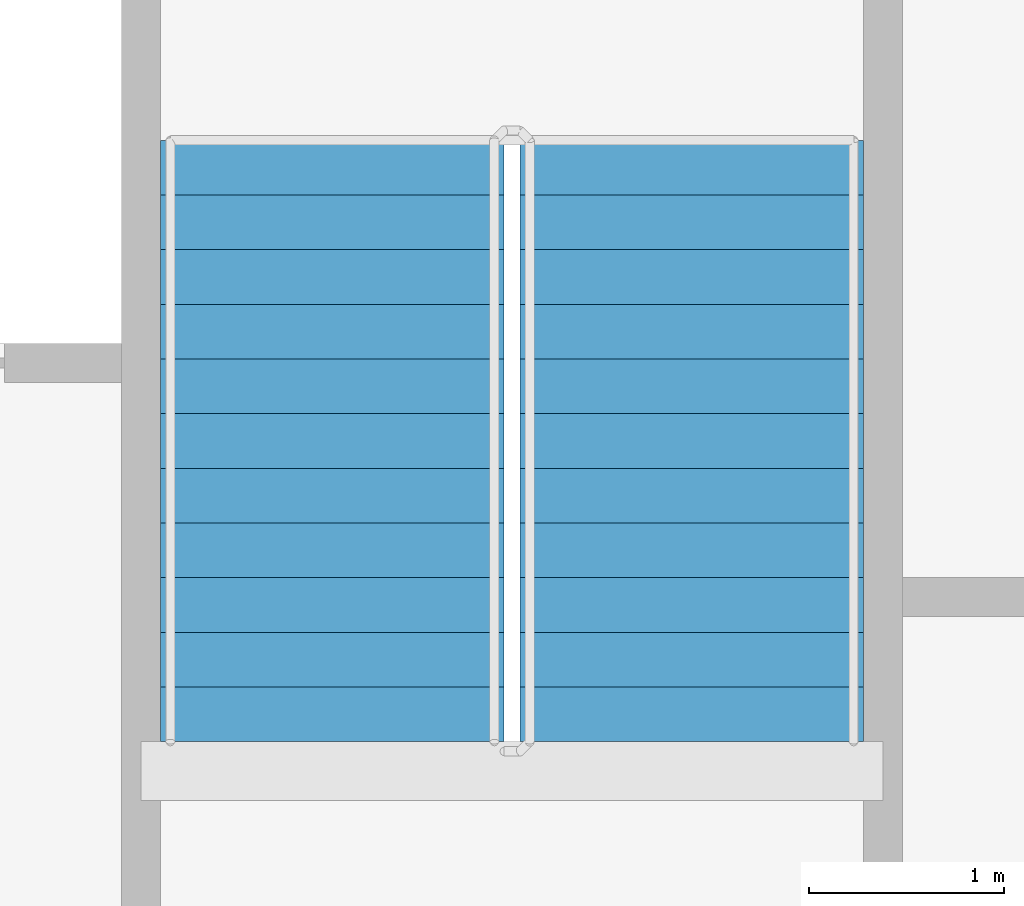
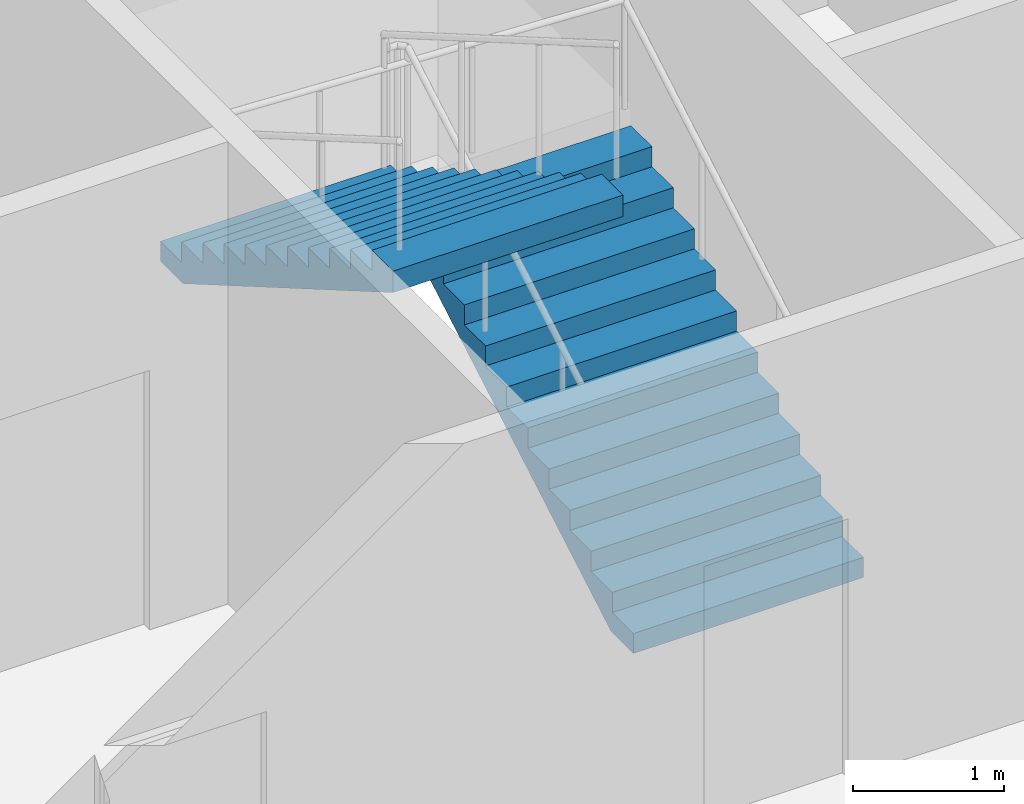
# One storey, part 10 of 15: 2 stair flights, 1 element without a shape of its own.
"""IFC4 building model written with IfcOpenShell, lengths in metres."""

from ifc_helpers import new_model, si_unit, direction, frame, origin, place, context, subcontext, project, spatial, faceted_brep, material, type_object, element, aggregate, save


model = new_model("IFC4")

# Units and contexts
model_context = context("Model", 3, precision=1e-05, world=origin(), true_north=direction((0.0, 1.0)))
body_context = subcontext(model_context, "Body", "Model", "MODEL_VIEW")
ifc_project = project(units=[si_unit("LENGTHUNIT", "METRE"), si_unit("AREAUNIT", "SQUARE_METRE"), si_unit("VOLUMEUNIT", "CUBIC_METRE"), si_unit("PLANEANGLEUNIT", "RADIAN"), si_unit("MASSUNIT", "GRAM", prefix="KILO")], contexts=[model_context])

# Site, building, storey
site_placement = place(None, origin())
site = spatial("IfcSite", under=ifc_project, at=site_placement, CompositionType="ELEMENT")
building_placement = place(site_placement, origin())
building = spatial("IfcBuilding", under=site, at=building_placement, Name="Tarsis Ring Headquarters", CompositionType="ELEMENT")
storey_placement = place(building_placement, frame((0.0, 0.0, 227.699951171875)))
storey = spatial("IfcBuildingStorey", under=building, at=storey_placement, Name="L53", CompositionType="ELEMENT", Elevation=227.699951171875)

# Stair, stair flights
ifc_material_1 = material(Name="Core stair 1760")
stair_type = type_object("IfcStairType", Name="Core stair 1760", PredefinedType="HALF_TURN_STAIR", material=ifc_material_1)
stair_placement = place(storey_placement, origin())
stair = element("IfcStair", 1, at=stair_placement, inside=storey, type_object=stair_type, Name="L53 Exit stair B", PredefinedType="HALF_TURN_STAIR")
ifc_material_2 = material(Name="Concrete C40/50", Category="concrete")
stair_flight_type = type_object("IfcStairFlightType", Name="Core stair flight 1760", PredefinedType="STRAIGHT", material=ifc_material_2)
stair_flight_1_placement = place(storey_placement, frame((5.419921875, 3.659912109375, 0.0), z_axis=(0.0, 0.0, 1.0), x_axis=(0.0, 1.0, 0.0)))
stair_flight_1 = element("IfcStairFlight", 2, at=stair_flight_1_placement, type_object=stair_flight_type, Name="Stair ST2 flight 1", NumberOfRisers=12, NumberOfTreads=11, PredefinedType="STRAIGHT", RiserHeight=0.1625, TreadLength=0.28, context=body_context, shape_type="Brep", body=[
    faceted_brep([(0.0, 0.8798828125, 0.0), (0.0, 0.8798828125, 0.16259765625), (0.280029296875, 0.8798828125, 0.16259765625), (0.280029296875, 0.8798828125, 0.324951171875), (0.56005859375, 0.8798828125, 0.324951171875), (0.56005859375, 0.8798828125, 0.487548828125), (0.840087890625, 0.8798828125, 0.487548828125), (0.840087890625, 0.8798828125, 0.64990234375), (1.1201171875, 0.8798828125, 0.64990234375), (1.1201171875, 0.8798828125, 0.8125), (1.39990234375, 0.8798828125, 0.8125), (1.39990234375, 0.8798828125, 0.97509765625), (1.679931640625, 0.8798828125, 0.97509765625), (1.679931640625, 0.8798828125, 1.137451171875), (1.9599609375, 0.8798828125, 1.137451171875), (1.9599609375, 0.8798828125, 1.300048828125), (2.239990234375, 0.8798828125, 1.300048828125), (2.239990234375, 0.8798828125, 1.46240234375), (2.52001953125, 0.8798828125, 1.46240234375), (2.52001953125, 0.8798828125, 1.625), (2.800048828125, 0.8798828125, 1.625), (2.800048828125, 0.8798828125, 1.78759765625), (3.080078125, 0.8798828125, 1.78759765625), (3.080078125, 0.8798828125, 1.6142578125), (0.298583984375, 0.8798828125, 0.0), (0.298583984375, -0.8798828125, 0.0), (3.080078125, -0.8798828125, 1.6142578125), (3.080078125, -0.8798828125, 1.78759765625), (2.800048828125, -0.8798828125, 1.78759765625), (2.800048828125, -0.8798828125, 1.625), (2.52001953125, -0.8798828125, 1.625), (2.52001953125, -0.8798828125, 1.46240234375), (2.239990234375, -0.8798828125, 1.46240234375), (2.239990234375, -0.8798828125, 1.300048828125), (1.9599609375, -0.8798828125, 1.300048828125), (1.9599609375, -0.8798828125, 1.137451171875), (1.679931640625, -0.8798828125, 1.137451171875), (1.679931640625, -0.8798828125, 0.97509765625), (1.39990234375, -0.8798828125, 0.97509765625), (1.39990234375, -0.8798828125, 0.8125), (1.1201171875, -0.8798828125, 0.8125), (1.1201171875, -0.8798828125, 0.64990234375), (0.840087890625, -0.8798828125, 0.64990234375), (0.840087890625, -0.8798828125, 0.487548828125), (0.56005859375, -0.8798828125, 0.487548828125), (0.56005859375, -0.8798828125, 0.324951171875), (0.280029296875, -0.8798828125, 0.324951171875), (0.280029296875, -0.8798828125, 0.16259765625), (0.0, -0.8798828125, 0.16259765625), (0.0, -0.8798828125, 0.0), (0.0, -0.43994140625, 0.16259765625), (0.0, -0.43994140625, 0.0), (0.0, 0.0, 0.16259765625), (0.0, 0.0, 0.0), (0.0, 0.43994140625, 0.16259765625), (0.0, 0.43994140625, 0.0), (0.280029296875, -0.43994140625, 0.16259765625), (0.280029296875, 0.0, 0.16259765625), (0.280029296875, 0.43994140625, 0.16259765625), (0.280029296875, -0.43994140625, 0.324951171875), (0.280029296875, 0.0, 0.324951171875), (0.280029296875, 0.43994140625, 0.324951171875), (0.56005859375, -0.43994140625, 0.324951171875), (0.56005859375, 0.0, 0.324951171875), (0.56005859375, 0.43994140625, 0.324951171875), (0.56005859375, -0.43994140625, 0.487548828125), (0.56005859375, 0.0, 0.487548828125), (0.56005859375, 0.43994140625, 0.487548828125), (0.840087890625, -0.43994140625, 0.487548828125), (0.840087890625, 0.0, 0.487548828125), (0.840087890625, 0.43994140625, 0.487548828125), (0.840087890625, -0.43994140625, 0.64990234375), (0.840087890625, 0.0, 0.64990234375), (0.840087890625, 0.43994140625, 0.64990234375), (1.1201171875, -0.43994140625, 0.64990234375), (1.1201171875, 0.0, 0.64990234375), (1.1201171875, 0.43994140625, 0.64990234375), (1.1201171875, -0.43994140625, 0.8125), (1.1201171875, 0.0, 0.8125), (1.1201171875, 0.43994140625, 0.8125), (1.39990234375, -0.43994140625, 0.8125), (1.39990234375, 0.0, 0.8125), (1.39990234375, 0.43994140625, 0.8125), (1.39990234375, -0.43994140625, 0.97509765625), (1.39990234375, 0.0, 0.97509765625), (1.39990234375, 0.43994140625, 0.97509765625), (1.679931640625, -0.43994140625, 0.97509765625), (1.679931640625, 0.0, 0.97509765625), (1.679931640625, 0.43994140625, 0.97509765625), (1.679931640625, -0.43994140625, 1.137451171875), (1.679931640625, 0.0, 1.137451171875), (1.679931640625, 0.43994140625, 1.137451171875), (1.9599609375, -0.43994140625, 1.137451171875), (1.9599609375, 0.0, 1.137451171875), (1.9599609375, 0.43994140625, 1.137451171875), (1.9599609375, -0.43994140625, 1.300048828125), (1.9599609375, 0.0, 1.300048828125), (1.9599609375, 0.43994140625, 1.300048828125), (2.239990234375, -0.43994140625, 1.300048828125), (2.239990234375, 0.0, 1.300048828125), (2.239990234375, 0.43994140625, 1.300048828125), (2.239990234375, -0.43994140625, 1.46240234375), (2.239990234375, 0.0, 1.46240234375), (2.239990234375, 0.43994140625, 1.46240234375), (2.52001953125, -0.43994140625, 1.46240234375), (2.52001953125, 0.0, 1.46240234375), (2.52001953125, 0.43994140625, 1.46240234375), (2.52001953125, -0.43994140625, 1.625), (2.52001953125, 0.0, 1.625), (2.52001953125, 0.43994140625, 1.625), (2.800048828125, -0.43994140625, 1.625), (2.800048828125, 0.0, 1.625), (2.800048828125, 0.43994140625, 1.625), (2.800048828125, -0.43994140625, 1.78759765625), (2.800048828125, 0.0, 1.78759765625), (2.800048828125, 0.43994140625, 1.78759765625), (3.080078125, -0.43994140625, 1.78759765625), (3.080078125, 0.0, 1.78759765625), (3.080078125, 0.43994140625, 1.78759765625), (3.080078125, -0.43994140625, 1.6142578125), (3.080078125, 0.0, 1.6142578125), (3.080078125, 0.43994140625, 1.6142578125), (0.298583984375, -0.43994140625, 0.0), (0.298583984375, 0.0, 0.0), (0.298583984375, 0.43994140625, 0.0)], [[[0, 1, 2, 3, 4, 5, 6, 7, 8, 9, 10, 11, 12, 13, 14, 15, 16, 17, 18, 19, 20, 21, 22, 23, 24]], [[25, 26, 27, 28, 29, 30, 31, 32, 33, 34, 35, 36, 37, 38, 39, 40, 41, 42, 43, 44, 45, 46, 47, 48, 49]], [[49, 48, 50, 51]], [[51, 50, 52, 53]], [[53, 52, 54, 55]], [[55, 54, 1, 0]], [[48, 47, 56, 50]], [[50, 56, 57, 52]], [[52, 57, 58, 54]], [[54, 58, 2, 1]], [[47, 46, 59, 56]], [[56, 59, 60, 57]], [[57, 60, 61, 58]], [[58, 61, 3, 2]], [[46, 45, 62, 59]], [[59, 62, 63, 60]], [[60, 63, 64, 61]], [[61, 64, 4, 3]], [[45, 44, 65, 62]], [[62, 65, 66, 63]], [[63, 66, 67, 64]], [[64, 67, 5, 4]], [[44, 43, 68, 65]], [[65, 68, 69, 66]], [[66, 69, 70, 67]], [[67, 70, 6, 5]], [[43, 42, 71, 68]], [[68, 71, 72, 69]], [[69, 72, 73, 70]], [[70, 73, 7, 6]], [[42, 41, 74, 71]], [[71, 74, 75, 72]], [[72, 75, 76, 73]], [[73, 76, 8, 7]], [[41, 40, 77, 74]], [[74, 77, 78, 75]], [[75, 78, 79, 76]], [[76, 79, 9, 8]], [[40, 39, 80, 77]], [[77, 80, 81, 78]], [[78, 81, 82, 79]], [[79, 82, 10, 9]], [[39, 38, 83, 80]], [[80, 83, 84, 81]], [[81, 84, 85, 82]], [[82, 85, 11, 10]], [[38, 37, 86, 83]], [[83, 86, 87, 84]], [[84, 87, 88, 85]], [[85, 88, 12, 11]], [[37, 36, 89, 86]], [[86, 89, 90, 87]], [[87, 90, 91, 88]], [[88, 91, 13, 12]], [[36, 35, 92, 89]], [[89, 92, 93, 90]], [[90, 93, 94, 91]], [[91, 94, 14, 13]], [[35, 34, 95, 92]], [[92, 95, 96, 93]], [[93, 96, 97, 94]], [[94, 97, 15, 14]], [[34, 33, 98, 95]], [[95, 98, 99, 96]], [[96, 99, 100, 97]], [[97, 100, 16, 15]], [[33, 32, 101, 98]], [[98, 101, 102, 99]], [[99, 102, 103, 100]], [[100, 103, 17, 16]], [[32, 31, 104, 101]], [[101, 104, 105, 102]], [[102, 105, 106, 103]], [[103, 106, 18, 17]], [[31, 30, 107, 104]], [[104, 107, 108, 105]], [[105, 108, 109, 106]], [[106, 109, 19, 18]], [[30, 29, 110, 107]], [[107, 110, 111, 108]], [[108, 111, 112, 109]], [[109, 112, 20, 19]], [[29, 28, 113, 110]], [[110, 113, 114, 111]], [[111, 114, 115, 112]], [[112, 115, 21, 20]], [[28, 27, 116, 113]], [[113, 116, 117, 114]], [[114, 117, 118, 115]], [[115, 118, 22, 21]], [[27, 26, 119, 116]], [[116, 119, 120, 117]], [[117, 120, 121, 118]], [[118, 121, 23, 22]], [[26, 25, 122, 119]], [[119, 122, 123, 120]], [[120, 123, 124, 121]], [[121, 124, 24, 23]], [[25, 49, 51, 122]], [[122, 51, 53, 123]], [[123, 53, 55, 124]], [[124, 55, 0, 24]]]),
])
stair_flight_2_placement = place(storey_placement, frame((3.580078125, 6.739990234375, 1.949951171875), z_axis=(0.0, 0.0, 1.0), x_axis=(0.0, -1.0, 0.0)))
stair_flight_2 = element("IfcStairFlight", 3, at=stair_flight_2_placement, type_object=stair_flight_type, Name="Stair ST2 flight 2", NumberOfRisers=12, NumberOfTreads=11, PredefinedType="STRAIGHT", RiserHeight=0.1625, TreadLength=0.28, context=body_context, shape_type="Brep", body=[
    faceted_brep([(0.0, 0.8798828125, 0.0), (0.0, 0.8798828125, 0.16259765625), (0.280029296875, 0.8798828125, 0.16259765625), (0.280029296875, 0.8798828125, 0.324951171875), (0.56005859375, 0.8798828125, 0.324951171875), (0.56005859375, 0.8798828125, 0.487548828125), (0.840087890625, 0.8798828125, 0.487548828125), (0.840087890625, 0.8798828125, 0.64990234375), (1.1201171875, 0.8798828125, 0.64990234375), (1.1201171875, 0.8798828125, 0.8125), (1.39990234375, 0.8798828125, 0.8125), (1.39990234375, 0.8798828125, 0.97509765625), (1.679931640625, 0.8798828125, 0.97509765625), (1.679931640625, 0.8798828125, 1.137451171875), (1.9599609375, 0.8798828125, 1.137451171875), (1.9599609375, 0.8798828125, 1.300048828125), (2.239990234375, 0.8798828125, 1.300048828125), (2.239990234375, 0.8798828125, 1.46240234375), (2.52001953125, 0.8798828125, 1.46240234375), (2.52001953125, 0.8798828125, 1.625), (2.800048828125, 0.8798828125, 1.625), (2.800048828125, 0.8798828125, 1.78759765625), (3.080078125, 0.8798828125, 1.78759765625), (3.080078125, 0.8798828125, 1.6142578125), (0.298583984375, 0.8798828125, 0.0), (0.298583984375, -0.8798828125, 0.0), (3.080078125, -0.8798828125, 1.6142578125), (3.080078125, -0.8798828125, 1.78759765625), (2.800048828125, -0.8798828125, 1.78759765625), (2.800048828125, -0.8798828125, 1.625), (2.52001953125, -0.8798828125, 1.625), (2.52001953125, -0.8798828125, 1.46240234375), (2.239990234375, -0.8798828125, 1.46240234375), (2.239990234375, -0.8798828125, 1.300048828125), (1.9599609375, -0.8798828125, 1.300048828125), (1.9599609375, -0.8798828125, 1.137451171875), (1.679931640625, -0.8798828125, 1.137451171875), (1.679931640625, -0.8798828125, 0.97509765625), (1.39990234375, -0.8798828125, 0.97509765625), (1.39990234375, -0.8798828125, 0.8125), (1.1201171875, -0.8798828125, 0.8125), (1.1201171875, -0.8798828125, 0.64990234375), (0.840087890625, -0.8798828125, 0.64990234375), (0.840087890625, -0.8798828125, 0.487548828125), (0.56005859375, -0.8798828125, 0.487548828125), (0.56005859375, -0.8798828125, 0.324951171875), (0.280029296875, -0.8798828125, 0.324951171875), (0.280029296875, -0.8798828125, 0.16259765625), (0.0, -0.8798828125, 0.16259765625), (0.0, -0.8798828125, 0.0), (0.0, -0.43994140625, 0.16259765625), (0.0, -0.43994140625, 0.0), (0.0, 0.0, 0.16259765625), (0.0, 0.0, 0.0), (0.0, 0.43994140625, 0.16259765625), (0.0, 0.43994140625, 0.0), (0.280029296875, -0.43994140625, 0.16259765625), (0.280029296875, 0.0, 0.16259765625), (0.280029296875, 0.43994140625, 0.16259765625), (0.280029296875, -0.43994140625, 0.324951171875), (0.280029296875, 0.0, 0.324951171875), (0.280029296875, 0.43994140625, 0.324951171875), (0.56005859375, -0.43994140625, 0.324951171875), (0.56005859375, 0.0, 0.324951171875), (0.56005859375, 0.43994140625, 0.324951171875), (0.56005859375, -0.43994140625, 0.487548828125), (0.56005859375, 0.0, 0.487548828125), (0.56005859375, 0.43994140625, 0.487548828125), (0.840087890625, -0.43994140625, 0.487548828125), (0.840087890625, 0.0, 0.487548828125), (0.840087890625, 0.43994140625, 0.487548828125), (0.840087890625, -0.43994140625, 0.64990234375), (0.840087890625, 0.0, 0.64990234375), (0.840087890625, 0.43994140625, 0.64990234375), (1.1201171875, -0.43994140625, 0.64990234375), (1.1201171875, 0.0, 0.64990234375), (1.1201171875, 0.43994140625, 0.64990234375), (1.1201171875, -0.43994140625, 0.8125), (1.1201171875, 0.0, 0.8125), (1.1201171875, 0.43994140625, 0.8125), (1.39990234375, -0.43994140625, 0.8125), (1.39990234375, 0.0, 0.8125), (1.39990234375, 0.43994140625, 0.8125), (1.39990234375, -0.43994140625, 0.97509765625), (1.39990234375, 0.0, 0.97509765625), (1.39990234375, 0.43994140625, 0.97509765625), (1.679931640625, -0.43994140625, 0.97509765625), (1.679931640625, 0.0, 0.97509765625), (1.679931640625, 0.43994140625, 0.97509765625), (1.679931640625, -0.43994140625, 1.137451171875), (1.679931640625, 0.0, 1.137451171875), (1.679931640625, 0.43994140625, 1.137451171875), (1.9599609375, -0.43994140625, 1.137451171875), (1.9599609375, 0.0, 1.137451171875), (1.9599609375, 0.43994140625, 1.137451171875), (1.9599609375, -0.43994140625, 1.300048828125), (1.9599609375, 0.0, 1.300048828125), (1.9599609375, 0.43994140625, 1.300048828125), (2.239990234375, -0.43994140625, 1.300048828125), (2.239990234375, 0.0, 1.300048828125), (2.239990234375, 0.43994140625, 1.300048828125), (2.239990234375, -0.43994140625, 1.46240234375), (2.239990234375, 0.0, 1.46240234375), (2.239990234375, 0.43994140625, 1.46240234375), (2.52001953125, -0.43994140625, 1.46240234375), (2.52001953125, 0.0, 1.46240234375), (2.52001953125, 0.43994140625, 1.46240234375), (2.52001953125, -0.43994140625, 1.625), (2.52001953125, 0.0, 1.625), (2.52001953125, 0.43994140625, 1.625), (2.800048828125, -0.43994140625, 1.625), (2.800048828125, 0.0, 1.625), (2.800048828125, 0.43994140625, 1.625), (2.800048828125, -0.43994140625, 1.78759765625), (2.800048828125, 0.0, 1.78759765625), (2.800048828125, 0.43994140625, 1.78759765625), (3.080078125, -0.43994140625, 1.78759765625), (3.080078125, 0.0, 1.78759765625), (3.080078125, 0.43994140625, 1.78759765625), (3.080078125, -0.43994140625, 1.6142578125), (3.080078125, 0.0, 1.6142578125), (3.080078125, 0.43994140625, 1.6142578125), (0.298583984375, -0.43994140625, 0.0), (0.298583984375, 0.0, 0.0), (0.298583984375, 0.43994140625, 0.0)], [[[0, 1, 2, 3, 4, 5, 6, 7, 8, 9, 10, 11, 12, 13, 14, 15, 16, 17, 18, 19, 20, 21, 22, 23, 24]], [[25, 26, 27, 28, 29, 30, 31, 32, 33, 34, 35, 36, 37, 38, 39, 40, 41, 42, 43, 44, 45, 46, 47, 48, 49]], [[49, 48, 50, 51]], [[51, 50, 52, 53]], [[53, 52, 54, 55]], [[55, 54, 1, 0]], [[48, 47, 56, 50]], [[50, 56, 57, 52]], [[52, 57, 58, 54]], [[54, 58, 2, 1]], [[47, 46, 59, 56]], [[56, 59, 60, 57]], [[57, 60, 61, 58]], [[58, 61, 3, 2]], [[46, 45, 62, 59]], [[59, 62, 63, 60]], [[60, 63, 64, 61]], [[61, 64, 4, 3]], [[45, 44, 65, 62]], [[62, 65, 66, 63]], [[63, 66, 67, 64]], [[64, 67, 5, 4]], [[44, 43, 68, 65]], [[65, 68, 69, 66]], [[66, 69, 70, 67]], [[67, 70, 6, 5]], [[43, 42, 71, 68]], [[68, 71, 72, 69]], [[69, 72, 73, 70]], [[70, 73, 7, 6]], [[42, 41, 74, 71]], [[71, 74, 75, 72]], [[72, 75, 76, 73]], [[73, 76, 8, 7]], [[41, 40, 77, 74]], [[74, 77, 78, 75]], [[75, 78, 79, 76]], [[76, 79, 9, 8]], [[40, 39, 80, 77]], [[77, 80, 81, 78]], [[78, 81, 82, 79]], [[79, 82, 10, 9]], [[39, 38, 83, 80]], [[80, 83, 84, 81]], [[81, 84, 85, 82]], [[82, 85, 11, 10]], [[38, 37, 86, 83]], [[83, 86, 87, 84]], [[84, 87, 88, 85]], [[85, 88, 12, 11]], [[37, 36, 89, 86]], [[86, 89, 90, 87]], [[87, 90, 91, 88]], [[88, 91, 13, 12]], [[36, 35, 92, 89]], [[89, 92, 93, 90]], [[90, 93, 94, 91]], [[91, 94, 14, 13]], [[35, 34, 95, 92]], [[92, 95, 96, 93]], [[93, 96, 97, 94]], [[94, 97, 15, 14]], [[34, 33, 98, 95]], [[95, 98, 99, 96]], [[96, 99, 100, 97]], [[97, 100, 16, 15]], [[33, 32, 101, 98]], [[98, 101, 102, 99]], [[99, 102, 103, 100]], [[100, 103, 17, 16]], [[32, 31, 104, 101]], [[101, 104, 105, 102]], [[102, 105, 106, 103]], [[103, 106, 18, 17]], [[31, 30, 107, 104]], [[104, 107, 108, 105]], [[105, 108, 109, 106]], [[106, 109, 19, 18]], [[30, 29, 110, 107]], [[107, 110, 111, 108]], [[108, 111, 112, 109]], [[109, 112, 20, 19]], [[29, 28, 113, 110]], [[110, 113, 114, 111]], [[111, 114, 115, 112]], [[112, 115, 21, 20]], [[28, 27, 116, 113]], [[113, 116, 117, 114]], [[114, 117, 118, 115]], [[115, 118, 22, 21]], [[27, 26, 119, 116]], [[116, 119, 120, 117]], [[117, 120, 121, 118]], [[118, 121, 23, 22]], [[26, 25, 122, 119]], [[119, 122, 123, 120]], [[120, 123, 124, 121]], [[121, 124, 24, 23]], [[25, 49, 51, 122]], [[122, 51, 53, 123]], [[123, 53, 55, 124]], [[124, 55, 0, 24]]]),
])
aggregate(stair, [stair_flight_1, stair_flight_2])

save(model, "model.ifc")
